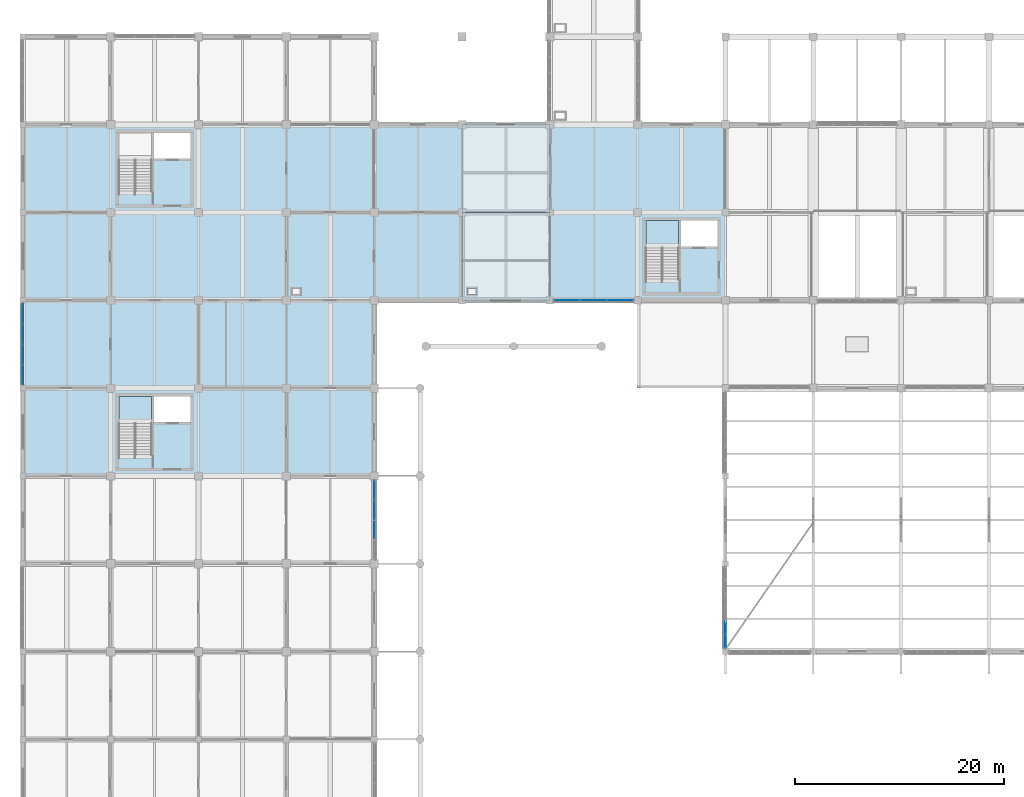
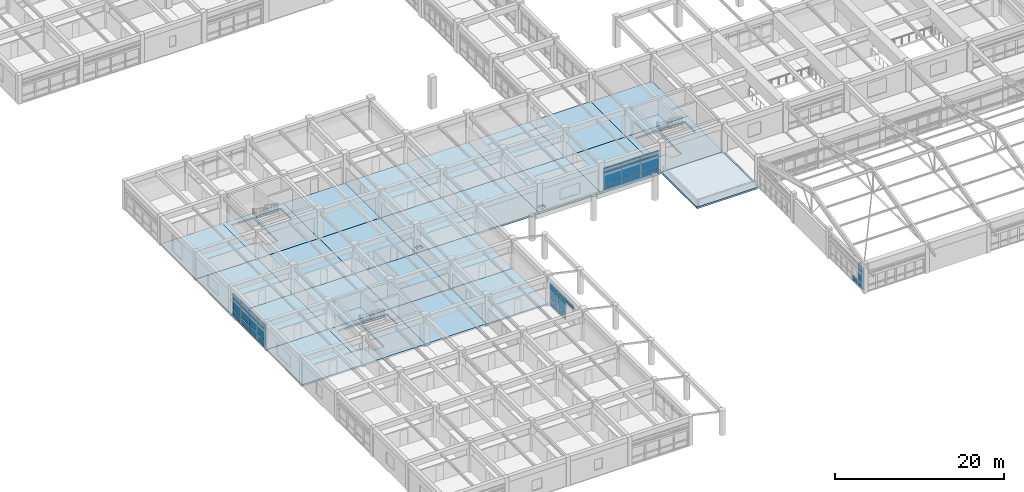
# One storey, part 59 of 99: 32 plates, 27 slabs, 6 elements without a shape of their own.
"""IFC4 building model written with IfcOpenShell, lengths in metres."""

from ifc_helpers import new_model, si_unit, direction, frame, origin, origin_2d, place, context, subcontext, project, spatial, polyline, rectangle, outline, extrude, material, layer, layer_set, type_object, element, aggregate, save


model = new_model("IFC4")

# Units and contexts
model_context = context("Model", 3, precision=1e-05, world=origin(), true_north=direction((0.0, 1.0)))
body_context = subcontext(model_context, "Body", "Model", "MODEL_VIEW")
ifc_project = project(units=[si_unit("LENGTHUNIT", "METRE"), si_unit("AREAUNIT", "SQUARE_METRE"), si_unit("VOLUMEUNIT", "CUBIC_METRE"), si_unit("PLANEANGLEUNIT", "RADIAN"), si_unit("MASSUNIT", "GRAM", prefix="KILO")], contexts=[model_context])

# Site, building, storey
site_placement = place(None, origin())
site = spatial("IfcSite", under=ifc_project, at=site_placement, CompositionType="ELEMENT")
building_placement = place(site_placement, origin())
building = spatial("IfcBuilding", under=site, at=building_placement, Name="Porcellanite Civic Hall", CompositionType="ELEMENT")
storey_placement = place(building_placement, frame((0.0, 0.0, 5.760009765625)))
storey = spatial("IfcBuildingStorey", under=building, at=storey_placement, Name="L01", CompositionType="ELEMENT", Elevation=5.760009765625)

# Curtain wall, plates
ifc_material_1 = material(Name="Anodised aluminium and solar laminated glass", Category="aluminium")
ifc_layer_1 = layer(ifc_material_1, 0.179931640625)
ifc_layer_set_1 = layer_set([ifc_layer_1], Name="Anodised aluminium and solar laminated glass")
curtain_wall_type_1 = type_object("IfcCurtainWallType", Name="CW-SYS01", PredefinedType="NOTDEFINED", material=ifc_layer_set_1)
curtain_wall_1_placement = place(storey_placement, origin())
curtain_wall_1 = element("IfcCurtainWall", 1, at=curtain_wall_1_placement, inside=storey, type_object=curtain_wall_type_1, Name="Curtain wall CW-089", PredefinedType="NOTDEFINED")
ifc_material_2 = material(Name="Cyclone laminated solar-control low-E glass", Category="glass")
ifc_layer_2 = layer(ifc_material_2, 0.02392578125)
ifc_layer_set_2 = layer_set([ifc_layer_2], Name="Cyclone laminated solar-control low-E glass")
plate_type_1 = type_object("IfcPlateType", Name="CWP-01", PredefinedType="CURTAIN_PANEL", material=ifc_layer_set_2)
plate_1_placement = place(storey_placement, frame((67.199951171875, 17.75, 0.070068359375), z_axis=(0.0, 0.0, 1.0), x_axis=(0.0, 1.0, 0.0)))
plate_1 = element("IfcPlate", 2, at=plate_1_placement, type_object=plate_type_1, Name="CW-089 panel 1.1", PredefinedType="CURTAIN_PANEL", context=body_context, shape_type="SweptSolid", body=[
    extrude(rectangle(XDim=1.18798828125, YDim=0.02392578125, at=origin_2d()), origin(), (0.0, 0.0, 1.0), 0.794921875),
])
plate_2_placement = place(storey_placement, frame((67.199951171875, 17.75, 0.93505859375), z_axis=(0.0, 0.0, 1.0), x_axis=(0.0, 1.0, 0.0)))
plate_2 = element("IfcPlate", 3, at=plate_2_placement, type_object=plate_type_1, Name="CW-089 panel 1.2", PredefinedType="CURTAIN_PANEL", context=body_context, shape_type="SweptSolid", body=[
    extrude(rectangle(XDim=1.18798828125, YDim=0.02392578125, at=origin_2d()), origin(), (0.0, 0.0, 1.0), 1.780029296875),
])
plate_3_placement = place(storey_placement, frame((67.199951171875, 17.75, 2.784912109375), z_axis=(0.0, 0.0, 1.0), x_axis=(0.0, 1.0, 0.0)))
plate_3 = element("IfcPlate", 4, at=plate_3_placement, type_object=plate_type_1, Name="CW-089 panel 1.3", PredefinedType="CURTAIN_PANEL", context=body_context, shape_type="SweptSolid", body=[
    extrude(rectangle(XDim=1.18798828125, YDim=0.02392578125, at=origin_2d()), origin(), (0.0, 0.0, 1.0), 0.544921875),
])
plate_4_placement = place(storey_placement, frame((67.199951171875, 19.0380859375, 0.070068359375), z_axis=(0.0, 0.0, 1.0), x_axis=(0.0, 1.0, 0.0)))
plate_4 = element("IfcPlate", 5, at=plate_4_placement, type_object=plate_type_1, Name="CW-089 panel 2.1", PredefinedType="CURTAIN_PANEL", context=body_context, shape_type="SweptSolid", body=[
    extrude(rectangle(XDim=1.22802734375, YDim=0.02392578125, at=origin_2d()), origin(), (0.0, 0.0, 1.0), 0.794921875),
])
aggregate(curtain_wall_1, [plate_1, plate_2, plate_3, plate_4])

ifc_material_3 = material(Name="Anodised aluminium and solar laminated glass", Category="aluminium")
ifc_layer_3 = layer(ifc_material_3, 0.179931640625)
ifc_layer_set_3 = layer_set([ifc_layer_3], Name="Anodised aluminium and solar laminated glass")
curtain_wall_type_2 = type_object("IfcCurtainWallType", Name="CW-SYS05", PredefinedType="NOTDEFINED", material=ifc_layer_set_3)
curtain_wall_2_placement = place(storey_placement, origin())
curtain_wall_2 = element("IfcCurtainWall", 6, at=curtain_wall_2_placement, inside=storey, type_object=curtain_wall_type_2, Name="Curtain wall CW-062", PredefinedType="NOTDEFINED")
ifc_material_4 = material(Name="Cyclone laminated solar-control low-E glass", Category="glass")
ifc_layer_4 = layer(ifc_material_4, 0.028076171875)
ifc_layer_set_4 = layer_set([ifc_layer_4], Name="Cyclone laminated solar-control low-E glass")
plate_type_2 = type_object("IfcPlateType", Name="CWP-03", PredefinedType="CURTAIN_PANEL", material=ifc_layer_set_4)
plate_5_placement = place(storey_placement, frame((0.0, 43.2744140625, 0.06005859375), z_axis=(0.0, 0.0, 1.0), x_axis=(0.0, 1.0, 0.0)))
plate_5 = element("IfcPlate", 7, at=plate_5_placement, type_object=plate_type_2, Name="CW-062 panel 1.1", PredefinedType="CURTAIN_PANEL", context=body_context, shape_type="SweptSolid", body=[
    extrude(rectangle(XDim=1.85693359375, YDim=0.028076171875, at=origin_2d()), origin(), (0.0, 0.0, 1.0), 0.81005859375),
])
plate_6_placement = place(storey_placement, frame((0.0, 43.2744140625, 0.929931640625), z_axis=(0.0, 0.0, 1.0), x_axis=(0.0, 1.0, 0.0)))
plate_6 = element("IfcPlate", 8, at=plate_6_placement, type_object=plate_type_2, Name="CW-062 panel 1.2", PredefinedType="CURTAIN_PANEL", context=body_context, shape_type="SweptSolid", body=[
    extrude(rectangle(XDim=1.85693359375, YDim=0.028076171875, at=origin_2d()), origin(), (0.0, 0.0, 1.0), 1.7900390625),
])
plate_7_placement = place(storey_placement, frame((0.0, 43.2744140625, 2.780029296875), z_axis=(0.0, 0.0, 1.0), x_axis=(0.0, 1.0, 0.0)))
plate_7 = element("IfcPlate", 9, at=plate_7_placement, type_object=plate_type_2, Name="CW-062 panel 1.3", PredefinedType="CURTAIN_PANEL", context=body_context, shape_type="SweptSolid", body=[
    extrude(rectangle(XDim=1.85693359375, YDim=0.028076171875, at=origin_2d()), origin(), (0.0, 0.0, 1.0), 0.56005859375),
])
plate_8_placement = place(storey_placement, frame((0.0, 45.218994140625, 0.06005859375), z_axis=(0.0, 0.0, 1.0), x_axis=(0.0, 1.0, 0.0)))
plate_8 = element("IfcPlate", 10, at=plate_8_placement, type_object=plate_type_2, Name="CW-062 panel 2.1", PredefinedType="CURTAIN_PANEL", context=body_context, shape_type="SweptSolid", body=[
    extrude(rectangle(XDim=1.89208984375, YDim=0.028076171875, at=origin_2d()), origin(), (0.0, 0.0, 1.0), 0.81005859375),
])
plate_9_placement = place(storey_placement, frame((0.0, 45.218994140625, 0.929931640625), z_axis=(0.0, 0.0, 1.0), x_axis=(0.0, 1.0, 0.0)))
plate_9 = element("IfcPlate", 11, at=plate_9_placement, type_object=plate_type_2, Name="CW-062 panel 2.2", PredefinedType="CURTAIN_PANEL", context=body_context, shape_type="SweptSolid", body=[
    extrude(rectangle(XDim=1.89208984375, YDim=0.028076171875, at=origin_2d()), origin(), (0.0, 0.0, 1.0), 1.7900390625),
])
plate_10_placement = place(storey_placement, frame((0.0, 45.218994140625, 2.780029296875), z_axis=(0.0, 0.0, 1.0), x_axis=(0.0, 1.0, 0.0)))
plate_10 = element("IfcPlate", 12, at=plate_10_placement, type_object=plate_type_2, Name="CW-062 panel 2.3", PredefinedType="CURTAIN_PANEL", context=body_context, shape_type="SweptSolid", body=[
    extrude(rectangle(XDim=1.89208984375, YDim=0.028076171875, at=origin_2d()), origin(), (0.0, 0.0, 1.0), 0.56005859375),
])
plate_11_placement = place(storey_placement, frame((0.0, 47.180908203125, 0.06005859375), z_axis=(0.0, 0.0, 1.0), x_axis=(0.0, 1.0, 0.0)))
plate_11 = element("IfcPlate", 13, at=plate_11_placement, type_object=plate_type_2, Name="CW-062 panel 3.1", PredefinedType="CURTAIN_PANEL", context=body_context, shape_type="SweptSolid", body=[
    extrude(rectangle(XDim=1.89208984375, YDim=0.028076171875, at=origin_2d()), origin(), (0.0, 0.0, 1.0), 0.81005859375),
])
plate_12_placement = place(storey_placement, frame((0.0, 47.180908203125, 0.929931640625), z_axis=(0.0, 0.0, 1.0), x_axis=(0.0, 1.0, 0.0)))
plate_12 = element("IfcPlate", 14, at=plate_12_placement, type_object=plate_type_2, Name="CW-062 panel 3.2", PredefinedType="CURTAIN_PANEL", context=body_context, shape_type="SweptSolid", body=[
    extrude(rectangle(XDim=1.89208984375, YDim=0.028076171875, at=origin_2d()), origin(), (0.0, 0.0, 1.0), 1.7900390625),
])
plate_13_placement = place(storey_placement, frame((0.0, 47.180908203125, 2.780029296875), z_axis=(0.0, 0.0, 1.0), x_axis=(0.0, 1.0, 0.0)))
plate_13 = element("IfcPlate", 15, at=plate_13_placement, type_object=plate_type_2, Name="CW-062 panel 3.3", PredefinedType="CURTAIN_PANEL", context=body_context, shape_type="SweptSolid", body=[
    extrude(rectangle(XDim=1.89208984375, YDim=0.028076171875, at=origin_2d()), origin(), (0.0, 0.0, 1.0), 0.56005859375),
])
plate_14_placement = place(storey_placement, frame((0.0, 49.12548828125, 0.06005859375), z_axis=(0.0, 0.0, 1.0), x_axis=(0.0, 1.0, 0.0)))
plate_14 = element("IfcPlate", 16, at=plate_14_placement, type_object=plate_type_2, Name="CW-062 panel 4.1", PredefinedType="CURTAIN_PANEL", context=body_context, shape_type="SweptSolid", body=[
    extrude(rectangle(XDim=1.85693359375, YDim=0.028076171875, at=origin_2d()), origin(), (0.0, 0.0, 1.0), 0.81005859375),
])
plate_15_placement = place(storey_placement, frame((0.0, 49.12548828125, 0.929931640625), z_axis=(0.0, 0.0, 1.0), x_axis=(0.0, 1.0, 0.0)))
plate_15 = element("IfcPlate", 17, at=plate_15_placement, type_object=plate_type_2, Name="CW-062 panel 4.2", PredefinedType="CURTAIN_PANEL", context=body_context, shape_type="SweptSolid", body=[
    extrude(rectangle(XDim=1.85693359375, YDim=0.028076171875, at=origin_2d()), origin(), (0.0, 0.0, 1.0), 1.7900390625),
])
plate_16_placement = place(storey_placement, frame((0.0, 49.12548828125, 2.780029296875), z_axis=(0.0, 0.0, 1.0), x_axis=(0.0, 1.0, 0.0)))
plate_16 = element("IfcPlate", 18, at=plate_16_placement, type_object=plate_type_2, Name="CW-062 panel 4.3", PredefinedType="CURTAIN_PANEL", context=body_context, shape_type="SweptSolid", body=[
    extrude(rectangle(XDim=1.85693359375, YDim=0.028076171875, at=origin_2d()), origin(), (0.0, 0.0, 1.0), 0.56005859375),
])
aggregate(curtain_wall_2, [plate_5, plate_6, plate_7, plate_8, plate_9, plate_10, plate_11, plate_12, plate_13, plate_14, plate_15, plate_16])

curtain_wall_3_placement = place(storey_placement, origin())
curtain_wall_3 = element("IfcCurtainWall", 19, at=curtain_wall_3_placement, inside=storey, type_object=curtain_wall_type_2, Name="Curtain wall CW-071", PredefinedType="NOTDEFINED")
plate_17_placement = place(storey_placement, frame((33.60009765625, 32.231689453125, 0.06005859375), z_axis=(0.0, 0.0, 1.0), x_axis=(0.0, -1.0, 0.0)))
plate_17 = element("IfcPlate", 20, at=plate_17_placement, type_object=plate_type_2, Name="CW-071 panel 1.1", PredefinedType="CURTAIN_PANEL", context=body_context, shape_type="SweptSolid", body=[
    extrude(rectangle(XDim=1.79443359375, YDim=0.028076171875, at=origin_2d()), origin(), (0.0, 0.0, 1.0), 0.81005859375),
])
plate_18_placement = place(storey_placement, frame((33.60009765625, 32.231689453125, 0.929931640625), z_axis=(0.0, 0.0, 1.0), x_axis=(0.0, -1.0, 0.0)))
plate_18 = element("IfcPlate", 21, at=plate_18_placement, type_object=plate_type_2, Name="CW-071 panel 1.2", PredefinedType="CURTAIN_PANEL", context=body_context, shape_type="SweptSolid", body=[
    extrude(rectangle(XDim=1.79443359375, YDim=0.028076171875, at=origin_2d()), origin(), (0.0, 0.0, 1.0), 1.7900390625),
])
plate_19_placement = place(storey_placement, frame((33.60009765625, 32.231689453125, 2.780029296875), z_axis=(0.0, 0.0, 1.0), x_axis=(0.0, -1.0, 0.0)))
plate_19 = element("IfcPlate", 22, at=plate_19_placement, type_object=plate_type_2, Name="CW-071 panel 1.3", PredefinedType="CURTAIN_PANEL", context=body_context, shape_type="SweptSolid", body=[
    extrude(rectangle(XDim=1.79443359375, YDim=0.028076171875, at=origin_2d()), origin(), (0.0, 0.0, 1.0), 0.56005859375),
])
plate_20_placement = place(storey_placement, frame((33.60009765625, 30.349853515625, 0.06005859375), z_axis=(0.0, 0.0, 1.0), x_axis=(0.0, -1.0, 0.0)))
plate_20 = element("IfcPlate", 23, at=plate_20_placement, type_object=plate_type_2, Name="CW-071 panel 2.1", PredefinedType="CURTAIN_PANEL", context=body_context, shape_type="SweptSolid", body=[
    extrude(rectangle(XDim=1.82958984375, YDim=0.028076171875, at=origin_2d()), origin(), (0.0, 0.0, 1.0), 0.81005859375),
])
plate_21_placement = place(storey_placement, frame((33.60009765625, 30.349853515625, 0.929931640625), z_axis=(0.0, 0.0, 1.0), x_axis=(0.0, -1.0, 0.0)))
plate_21 = element("IfcPlate", 24, at=plate_21_placement, type_object=plate_type_2, Name="CW-071 panel 2.2", PredefinedType="CURTAIN_PANEL", context=body_context, shape_type="SweptSolid", body=[
    extrude(rectangle(XDim=1.82958984375, YDim=0.028076171875, at=origin_2d()), origin(), (0.0, 0.0, 1.0), 1.7900390625),
])
plate_22_placement = place(storey_placement, frame((33.60009765625, 30.349853515625, 2.780029296875), z_axis=(0.0, 0.0, 1.0), x_axis=(0.0, -1.0, 0.0)))
plate_22 = element("IfcPlate", 25, at=plate_22_placement, type_object=plate_type_2, Name="CW-071 panel 2.3", PredefinedType="CURTAIN_PANEL", context=body_context, shape_type="SweptSolid", body=[
    extrude(rectangle(XDim=1.82958984375, YDim=0.028076171875, at=origin_2d()), origin(), (0.0, 0.0, 1.0), 0.56005859375),
])
plate_23_placement = place(storey_placement, frame((33.60009765625, 28.4501953125, 2.780029296875), z_axis=(0.0, 0.0, 1.0), x_axis=(0.0, -1.0, 0.0)))
plate_23 = element("IfcPlate", 26, at=plate_23_placement, type_object=plate_type_2, Name="CW-071 panel 3.3", PredefinedType="CURTAIN_PANEL", context=body_context, shape_type="SweptSolid", body=[
    extrude(rectangle(XDim=1.82958984375, YDim=0.028076171875, at=origin_2d()), origin(), (0.0, 0.0, 1.0), 0.56005859375),
])
aggregate(curtain_wall_3, [plate_17, plate_18, plate_19, plate_20, plate_21, plate_22, plate_23])

ifc_material_5 = material(Name="Anodised aluminium and solar laminated glass", Category="aluminium")
ifc_layer_5 = layer(ifc_material_5, 0.179931640625)
ifc_layer_set_5 = layer_set([ifc_layer_5], Name="Anodised aluminium and solar laminated glass")
curtain_wall_type_3 = type_object("IfcCurtainWallType", Name="CW-SYS08", PredefinedType="NOTDEFINED", material=ifc_layer_set_5)
curtain_wall_4_placement = place(storey_placement, origin())
curtain_wall_4 = element("IfcCurtainWall", 27, at=curtain_wall_4_placement, inside=storey, type_object=curtain_wall_type_3, Name="Curtain wall CW-076", PredefinedType="NOTDEFINED")
ifc_material_6 = material(Name="Cyclone laminated solar-control low-E glass", Category="glass")
ifc_layer_6 = layer(ifc_material_6, 0.035888671875)
ifc_layer_set_6 = layer_set([ifc_layer_6], Name="Cyclone laminated solar-control low-E glass")
plate_type_3 = type_object("IfcPlateType", Name="CWP-07", PredefinedType="CURTAIN_PANEL", material=ifc_layer_set_6)
plate_24_placement = place(storey_placement, frame((57.150146484375, 50.39990234375, 0.070068359375), z_axis=(0.0, 0.0, 1.0), x_axis=(-1.0, 0.0, 0.0)))
plate_24 = element("IfcPlate", 28, at=plate_24_placement, type_object=plate_type_3, Name="CW-076 panel 1.1", PredefinedType="CURTAIN_PANEL", context=body_context, shape_type="SweptSolid", body=[
    extrude(rectangle(XDim=2.437744140625, YDim=0.035888671875, at=origin_2d()), origin(), (0.0, 0.0, 1.0), 0.794921875),
])
plate_25_placement = place(storey_placement, frame((57.150146484375, 50.39990234375, 0.93505859375), z_axis=(0.0, 0.0, 1.0), x_axis=(-1.0, 0.0, 0.0)))
plate_25 = element("IfcPlate", 29, at=plate_25_placement, type_object=plate_type_3, Name="CW-076 panel 1.2", PredefinedType="CURTAIN_PANEL", context=body_context, shape_type="SweptSolid", body=[
    extrude(rectangle(XDim=2.437744140625, YDim=0.035888671875, at=origin_2d()), origin(), (0.0, 0.0, 1.0), 1.780029296875),
])
plate_26_placement = place(storey_placement, frame((57.150146484375, 50.39990234375, 2.784912109375), z_axis=(0.0, 0.0, 1.0), x_axis=(-1.0, 0.0, 0.0)))
plate_26 = element("IfcPlate", 30, at=plate_26_placement, type_object=plate_type_3, Name="CW-076 panel 1.3", PredefinedType="CURTAIN_PANEL", context=body_context, shape_type="SweptSolid", body=[
    extrude(rectangle(XDim=2.437744140625, YDim=0.035888671875, at=origin_2d()), origin(), (0.0, 0.0, 1.0), 0.544921875),
])
plate_27_placement = place(storey_placement, frame((54.612548828125, 50.39990234375, 0.070068359375), z_axis=(0.0, 0.0, 1.0), x_axis=(-1.0, 0.0, 0.0)))
plate_27 = element("IfcPlate", 31, at=plate_27_placement, type_object=plate_type_3, Name="CW-076 panel 2.1", PredefinedType="CURTAIN_PANEL", context=body_context, shape_type="SweptSolid", body=[
    extrude(rectangle(XDim=2.477783203125, YDim=0.035888671875, at=origin_2d()), origin(), (0.0, 0.0, 1.0), 0.794921875),
])
plate_28_placement = place(storey_placement, frame((54.612548828125, 50.39990234375, 0.93505859375), z_axis=(0.0, 0.0, 1.0), x_axis=(-1.0, 0.0, 0.0)))
plate_28 = element("IfcPlate", 32, at=plate_28_placement, type_object=plate_type_3, Name="CW-076 panel 2.2", PredefinedType="CURTAIN_PANEL", context=body_context, shape_type="SweptSolid", body=[
    extrude(rectangle(XDim=2.477783203125, YDim=0.035888671875, at=origin_2d()), origin(), (0.0, 0.0, 1.0), 1.780029296875),
])
plate_29_placement = place(storey_placement, frame((54.612548828125, 50.39990234375, 2.784912109375), z_axis=(0.0, 0.0, 1.0), x_axis=(-1.0, 0.0, 0.0)))
plate_29 = element("IfcPlate", 33, at=plate_29_placement, type_object=plate_type_3, Name="CW-076 panel 2.3", PredefinedType="CURTAIN_PANEL", context=body_context, shape_type="SweptSolid", body=[
    extrude(rectangle(XDim=2.477783203125, YDim=0.035888671875, at=origin_2d()), origin(), (0.0, 0.0, 1.0), 0.544921875),
])
plate_30_placement = place(storey_placement, frame((52.074951171875, 50.39990234375, 0.070068359375), z_axis=(0.0, 0.0, 1.0), x_axis=(-1.0, 0.0, 0.0)))
plate_30 = element("IfcPlate", 34, at=plate_30_placement, type_object=plate_type_3, Name="CW-076 panel 3.1", PredefinedType="CURTAIN_PANEL", context=body_context, shape_type="SweptSolid", body=[
    extrude(rectangle(XDim=2.437744140625, YDim=0.035888671875, at=origin_2d()), origin(), (0.0, 0.0, 1.0), 0.794921875),
])
plate_31_placement = place(storey_placement, frame((52.074951171875, 50.39990234375, 0.93505859375), z_axis=(0.0, 0.0, 1.0), x_axis=(-1.0, 0.0, 0.0)))
plate_31 = element("IfcPlate", 35, at=plate_31_placement, type_object=plate_type_3, Name="CW-076 panel 3.2", PredefinedType="CURTAIN_PANEL", context=body_context, shape_type="SweptSolid", body=[
    extrude(rectangle(XDim=2.437744140625, YDim=0.035888671875, at=origin_2d()), origin(), (0.0, 0.0, 1.0), 1.780029296875),
])
plate_32_placement = place(storey_placement, frame((52.074951171875, 50.39990234375, 2.784912109375), z_axis=(0.0, 0.0, 1.0), x_axis=(-1.0, 0.0, 0.0)))
plate_32 = element("IfcPlate", 36, at=plate_32_placement, type_object=plate_type_3, Name="CW-076 panel 3.3", PredefinedType="CURTAIN_PANEL", context=body_context, shape_type="SweptSolid", body=[
    extrude(rectangle(XDim=2.437744140625, YDim=0.035888671875, at=origin_2d()), origin(), (0.0, 0.0, 1.0), 0.544921875),
])
aggregate(curtain_wall_4, [plate_24, plate_25, plate_26, plate_27, plate_28, plate_29, plate_30, plate_31, plate_32])

# Stair, slab
ifc_material_7 = material(Name="Concrete N40 (40 MPa)", Category="concrete")
stair_type = type_object("IfcStairType", Name="STR-HT25", PredefinedType="HALF_TURN_STAIR", material=ifc_material_7)
stair_1_placement = place(storey_placement, origin())
stair_1 = element("IfcStair", 37, at=stair_1_placement, inside=storey, type_object=stair_type, Name="Fire stair ST-01 L01", PredefinedType="HALF_TURN_STAIR")
ifc_material_8 = material(Name="Concrete N40 (40 MPa)", Category="concrete")
ifc_layer_7 = layer(ifc_material_8, 0.179931640625)
ifc_layer_set_7 = layer_set([ifc_layer_7], Name="Concrete N40 (40 MPa)")
slab_type_1 = type_object("IfcSlabType", Name="LND-18", PredefinedType="LANDING", material=ifc_layer_set_7)
slab_1_placement = place(storey_placement, frame((0.0, 0.0, 2.159912109375)))
slab_1 = element("IfcSlab", 38, at=slab_1_placement, type_object=slab_type_1, Name="ST-01 landing 1", PredefinedType="LANDING", context=body_context, shape_type="SweptSolid", body=[
    extrude(outline(polyline([(9.180419921875, 38.625), (12.319580078125, 38.625), (12.319580078125, 41.219482421875), (9.180419921875, 41.219482421875), (9.180419921875, 38.625)])), origin(), (0.0, 0.0, 1.0), 0.18017578125),
])
aggregate(stair_1, [slab_1])

stair_2_placement = place(storey_placement, origin())
stair_2 = element("IfcStair", 39, at=stair_2_placement, inside=storey, type_object=stair_type, Name="Fire stair ST-05 L01", PredefinedType="HALF_TURN_STAIR")
slab_2_placement = place(storey_placement, frame((0.0, 0.0, 2.159912109375)))
slab_2 = element("IfcSlab", 40, at=slab_2_placement, type_object=slab_type_1, Name="ST-05 landing 1", PredefinedType="LANDING", context=body_context, shape_type="SweptSolid", body=[
    extrude(outline(polyline([(59.58056640625, 55.425048828125), (62.719482421875, 55.425048828125), (62.719482421875, 58.01953125), (59.58056640625, 58.01953125), (59.58056640625, 55.425048828125)])), origin(), (0.0, 0.0, 1.0), 0.18017578125),
])
aggregate(stair_2, [slab_2])

# Slabs
ifc_material_9 = material(Name="Concrete N40 (40 MPa)", Category="concrete")
ifc_layer_8 = layer(ifc_material_9, 0.25)
ifc_layer_set_8 = layer_set([ifc_layer_8], Name="Concrete N40 (40 MPa)")
slab_type_2 = type_object("IfcSlabType", Name="SL-FL250", PredefinedType="FLOOR", material=ifc_layer_set_8)
slab_3_placement = place(storey_placement, frame((0.0, 0.0, -0.25)))
element("IfcSlab", 41, at=slab_3_placement, inside=storey, type_object=slab_type_2, Name="Slab L01 bay 1-5", PredefinedType="FLOOR", context=body_context, shape_type="SweptSolid", body=[
    extrude(outline(polyline([(0.0, 33.60009765625), (8.39990234375, 33.60009765625), (8.39990234375, 42.0), (0.0, 42.0), (0.0, 33.60009765625)])), origin(), (0.0, 0.0, 1.0), 0.25),
])
slab_4_placement = place(storey_placement, frame((0.0, 0.0, -0.25)))
element("IfcSlab", 42, at=slab_4_placement, inside=storey, type_object=slab_type_2, Name="Slab L01 bay 1-6", PredefinedType="FLOOR", context=body_context, shape_type="SweptSolid", body=[
    extrude(outline(polyline([(0.0, 42.0), (8.39990234375, 42.0), (8.39990234375, 50.39990234375), (0.0, 50.39990234375), (0.0, 42.0)])), origin(), (0.0, 0.0, 1.0), 0.25),
])
slab_5_placement = place(storey_placement, frame((0.0, 0.0, -0.25)))
element("IfcSlab", 43, at=slab_5_placement, inside=storey, type_object=slab_type_2, Name="Slab L01 bay 1-8", PredefinedType="FLOOR", context=body_context, shape_type="SweptSolid", body=[
    extrude(outline(polyline([(0.0, 58.800048828125), (8.39990234375, 58.800048828125), (8.39990234375, 67.199951171875), (0.0, 67.199951171875), (0.0, 58.800048828125)])), origin(), (0.0, 0.0, 1.0), 0.25),
])
slab_6_placement = place(storey_placement, frame((0.0, 0.0, -0.25)))
element("IfcSlab", 44, at=slab_6_placement, inside=storey, type_object=slab_type_2, Name="Slab L01 bay 2-5", PredefinedType="FLOOR", context=body_context, shape_type="SweptSolid", body=[
    extrude(outline(polyline([(8.39990234375, 33.60009765625), (16.800048828125, 33.60009765625), (16.800048828125, 42.0), (8.39990234375, 42.0), (8.39990234375, 33.60009765625)]), holes=[polyline([(9.179931640625, 36.449951171875), (10.760009765625, 36.449951171875), (10.760009765625, 35.60009765625), (12.320068359375, 35.60009765625), (12.320068359375, 41.219970703125), (9.179931640625, 41.219970703125), (9.179931640625, 36.449951171875)]), polyline([(12.56005859375, 38.739990234375), (16.02001953125, 38.739990234375), (16.02001953125, 41.219970703125), (12.56005859375, 41.219970703125), (12.56005859375, 38.739990234375)])]), origin(), (0.0, 0.0, 1.0), 0.25),
])
slab_7_placement = place(storey_placement, frame((0.0, 0.0, -0.25)))
element("IfcSlab", 45, at=slab_7_placement, inside=storey, type_object=slab_type_2, Name="Slab L01 bay 2-7", PredefinedType="FLOOR", context=body_context, shape_type="SweptSolid", body=[
    extrude(outline(polyline([(8.39990234375, 50.39990234375), (16.800048828125, 50.39990234375), (16.800048828125, 58.800048828125), (8.39990234375, 58.800048828125), (8.39990234375, 50.39990234375)])), origin(), (0.0, 0.0, 1.0), 0.25),
])
slab_8_placement = place(storey_placement, frame((0.0, 0.0, -0.25)))
element("IfcSlab", 46, at=slab_8_placement, inside=storey, type_object=slab_type_2, Name="Slab L01 bay 2-8", PredefinedType="FLOOR", context=body_context, shape_type="SweptSolid", body=[
    extrude(outline(polyline([(8.39990234375, 58.800048828125), (16.800048828125, 58.800048828125), (16.800048828125, 67.199951171875), (8.39990234375, 67.199951171875), (8.39990234375, 58.800048828125)]), holes=[polyline([(9.179931640625, 61.64990234375), (10.760009765625, 61.64990234375), (10.760009765625, 60.800048828125), (12.320068359375, 60.800048828125), (12.320068359375, 66.419921875), (9.179931640625, 66.419921875), (9.179931640625, 61.64990234375)]), polyline([(12.56005859375, 63.93994140625), (16.02001953125, 63.93994140625), (16.02001953125, 66.419921875), (12.56005859375, 66.419921875), (12.56005859375, 63.93994140625)])]), origin(), (0.0, 0.0, 1.0), 0.25),
])
slab_9_placement = place(storey_placement, frame((0.0, 0.0, -0.25)))
element("IfcSlab", 47, at=slab_9_placement, inside=storey, type_object=slab_type_2, Name="Slab L01 bay 3-6", PredefinedType="FLOOR", context=body_context, shape_type="SweptSolid", body=[
    extrude(outline(polyline([(16.800048828125, 42.0), (25.199951171875, 42.0), (25.199951171875, 50.39990234375), (16.800048828125, 50.39990234375), (16.800048828125, 42.0)])), origin(), (0.0, 0.0, 1.0), 0.25),
])
slab_10_placement = place(storey_placement, frame((0.0, 0.0, -0.25)))
element("IfcSlab", 48, at=slab_10_placement, inside=storey, type_object=slab_type_2, Name="Slab L01 bay 3-7", PredefinedType="FLOOR", context=body_context, shape_type="SweptSolid", body=[
    extrude(outline(polyline([(16.800048828125, 50.39990234375), (25.199951171875, 50.39990234375), (25.199951171875, 58.800048828125), (16.800048828125, 58.800048828125), (16.800048828125, 50.39990234375)])), origin(), (0.0, 0.0, 1.0), 0.25),
])
slab_11_placement = place(storey_placement, frame((0.0, 0.0, -0.25)))
element("IfcSlab", 49, at=slab_11_placement, inside=storey, type_object=slab_type_2, Name="Slab L01 bay 4-5", PredefinedType="FLOOR", context=body_context, shape_type="SweptSolid", body=[
    extrude(outline(polyline([(25.199951171875, 33.60009765625), (33.60009765625, 33.60009765625), (33.60009765625, 42.0), (25.199951171875, 42.0), (25.199951171875, 33.60009765625)])), origin(), (0.0, 0.0, 1.0), 0.25),
])
slab_12_placement = place(storey_placement, frame((0.0, 0.0, -0.25)))
element("IfcSlab", 50, at=slab_12_placement, inside=storey, type_object=slab_type_2, Name="Slab L01 bay 4-6", PredefinedType="FLOOR", context=body_context, shape_type="SweptSolid", body=[
    extrude(outline(polyline([(25.199951171875, 42.0), (33.60009765625, 42.0), (33.60009765625, 50.39990234375), (25.199951171875, 50.39990234375), (25.199951171875, 42.0)])), origin(), (0.0, 0.0, 1.0), 0.25),
])
slab_13_placement = place(storey_placement, frame((0.0, 0.0, -0.25)))
element("IfcSlab", 51, at=slab_13_placement, inside=storey, type_object=slab_type_2, Name="Slab L01 bay 4-8", PredefinedType="FLOOR", context=body_context, shape_type="SweptSolid", body=[
    extrude(outline(polyline([(25.199951171875, 58.800048828125), (33.60009765625, 58.800048828125), (33.60009765625, 67.199951171875), (25.199951171875, 67.199951171875), (25.199951171875, 58.800048828125)])), origin(), (0.0, 0.0, 1.0), 0.25),
])
slab_14_placement = place(storey_placement, frame((0.0, 0.0, -0.25)))
element("IfcSlab", 52, at=slab_14_placement, inside=storey, type_object=slab_type_2, Name="Slab L01 bay 5-7", PredefinedType="FLOOR", context=body_context, shape_type="SweptSolid", body=[
    extrude(outline(polyline([(33.60009765625, 50.39990234375), (42.0, 50.39990234375), (42.0, 58.800048828125), (33.60009765625, 58.800048828125), (33.60009765625, 50.39990234375)])), origin(), (0.0, 0.0, 1.0), 0.25),
])
slab_15_placement = place(storey_placement, frame((0.0, 0.0, -0.25)))
element("IfcSlab", 53, at=slab_15_placement, inside=storey, type_object=slab_type_2, Name="Slab L01 bay 5-8", PredefinedType="FLOOR", context=body_context, shape_type="SweptSolid", body=[
    extrude(outline(polyline([(33.60009765625, 58.800048828125), (42.0, 58.800048828125), (42.0, 67.199951171875), (33.60009765625, 67.199951171875), (33.60009765625, 58.800048828125)])), origin(), (0.0, 0.0, 1.0), 0.25),
])
slab_16_placement = place(storey_placement, frame((0.0, 0.0, -0.25)))
element("IfcSlab", 54, at=slab_16_placement, inside=storey, type_object=slab_type_2, Name="Slab L01 bay 6-7", PredefinedType="FLOOR", context=body_context, shape_type="SweptSolid", body=[
    extrude(outline(polyline([(42.0, 50.39990234375), (50.39990234375, 50.39990234375), (50.39990234375, 58.800048828125), (42.0, 58.800048828125), (42.0, 50.39990234375)]), holes=[polyline([(42.550048828125, 50.949951171875), (43.35009765625, 50.949951171875), (43.35009765625, 51.550048828125), (42.550048828125, 51.550048828125), (42.550048828125, 50.949951171875)])]), origin(), (0.0, 0.0, 1.0), 0.25),
])
slab_17_placement = place(storey_placement, frame((0.0, 0.0, -0.25)))
element("IfcSlab", 55, at=slab_17_placement, inside=storey, type_object=slab_type_2, Name="Slab L01 bay 7-8", PredefinedType="FLOOR", context=body_context, shape_type="SweptSolid", body=[
    extrude(outline(polyline([(50.39990234375, 58.800048828125), (58.800048828125, 58.800048828125), (58.800048828125, 67.199951171875), (50.39990234375, 67.199951171875), (50.39990234375, 58.800048828125)])), origin(), (0.0, 0.0, 1.0), 0.25),
])
slab_18_placement = place(storey_placement, frame((0.0, 0.0, -0.25)))
element("IfcSlab", 56, at=slab_18_placement, inside=storey, type_object=slab_type_2, Name="Slab L01 bay 8-7", PredefinedType="FLOOR", context=body_context, shape_type="SweptSolid", body=[
    extrude(outline(polyline([(58.800048828125, 50.39990234375), (67.199951171875, 50.39990234375), (67.199951171875, 58.800048828125), (58.800048828125, 58.800048828125), (58.800048828125, 50.39990234375)]), holes=[polyline([(59.580078125, 53.25), (61.159912109375, 53.25), (61.159912109375, 52.39990234375), (62.719970703125, 52.39990234375), (62.719970703125, 58.02001953125), (59.580078125, 58.02001953125), (59.580078125, 53.25)]), polyline([(62.9599609375, 55.5400390625), (66.419921875, 55.5400390625), (66.419921875, 58.02001953125), (62.9599609375, 58.02001953125), (62.9599609375, 55.5400390625)])]), origin(), (0.0, 0.0, 1.0), 0.25),
])
slab_19_placement = place(storey_placement, frame((0.0, 0.0, -0.25)))
element("IfcSlab", 57, at=slab_19_placement, inside=storey, type_object=slab_type_2, Name="Slab L01 bay 8-8", PredefinedType="FLOOR", context=body_context, shape_type="SweptSolid", body=[
    extrude(outline(polyline([(58.800048828125, 58.800048828125), (67.199951171875, 58.800048828125), (67.199951171875, 67.199951171875), (58.800048828125, 67.199951171875), (58.800048828125, 58.800048828125)])), origin(), (0.0, 0.0, 1.0), 0.25),
])
ifc_material_10 = material(Name="Concrete N40 (40 MPa)", Category="concrete")
ifc_layer_9 = layer(ifc_material_10, 0.260009765625)
ifc_layer_set_9 = layer_set([ifc_layer_9], Name="Concrete N40 (40 MPa)")
slab_type_3 = type_object("IfcSlabType", Name="SL-FL260", PredefinedType="FLOOR", material=ifc_layer_set_9)
slab_20_placement = place(storey_placement, frame((0.0, 0.0, -0.260009765625)))
element("IfcSlab", 58, at=slab_20_placement, inside=storey, type_object=slab_type_3, Name="Slab L01 bay 1-7", PredefinedType="FLOOR", context=body_context, shape_type="SweptSolid", body=[
    extrude(outline(polyline([(0.0, 50.39990234375), (8.39990234375, 50.39990234375), (8.39990234375, 58.800048828125), (0.0, 58.800048828125), (0.0, 50.39990234375)])), origin(), (0.0, 0.0, 1.0), 0.260009765625),
])
slab_21_placement = place(storey_placement, frame((0.0, 0.0, -0.260009765625)))
element("IfcSlab", 59, at=slab_21_placement, inside=storey, type_object=slab_type_3, Name="Slab L01 bay 2-6", PredefinedType="FLOOR", context=body_context, shape_type="SweptSolid", body=[
    extrude(outline(polyline([(8.39990234375, 42.0), (16.800048828125, 42.0), (16.800048828125, 50.39990234375), (8.39990234375, 50.39990234375), (8.39990234375, 42.0)])), origin(), (0.0, 0.0, 1.0), 0.260009765625),
])
slab_22_placement = place(storey_placement, frame((0.0, 0.0, -0.260009765625)))
element("IfcSlab", 60, at=slab_22_placement, inside=storey, type_object=slab_type_3, Name="Slab L01 bay 3-5", PredefinedType="FLOOR", context=body_context, shape_type="SweptSolid", body=[
    extrude(outline(polyline([(16.800048828125, 33.60009765625), (25.199951171875, 33.60009765625), (25.199951171875, 42.0), (16.800048828125, 42.0), (16.800048828125, 33.60009765625)])), origin(), (0.0, 0.0, 1.0), 0.260009765625),
])
slab_23_placement = place(storey_placement, frame((0.0, 0.0, -0.260009765625)))
element("IfcSlab", 61, at=slab_23_placement, inside=storey, type_object=slab_type_3, Name="Slab L01 bay 3-8", PredefinedType="FLOOR", context=body_context, shape_type="SweptSolid", body=[
    extrude(outline(polyline([(16.800048828125, 58.800048828125), (25.199951171875, 58.800048828125), (25.199951171875, 67.199951171875), (16.800048828125, 67.199951171875), (16.800048828125, 58.800048828125)])), origin(), (0.0, 0.0, 1.0), 0.260009765625),
])
slab_24_placement = place(storey_placement, frame((0.0, 0.0, -0.260009765625)))
element("IfcSlab", 62, at=slab_24_placement, inside=storey, type_object=slab_type_3, Name="Slab L01 bay 4-7", PredefinedType="FLOOR", context=body_context, shape_type="SweptSolid", body=[
    extrude(outline(polyline([(25.199951171875, 50.39990234375), (33.60009765625, 50.39990234375), (33.60009765625, 58.800048828125), (25.199951171875, 58.800048828125), (25.199951171875, 50.39990234375)]), holes=[polyline([(25.75, 50.949951171875), (26.550048828125, 50.949951171875), (26.550048828125, 51.550048828125), (25.75, 51.550048828125), (25.75, 50.949951171875)])]), origin(), (0.0, 0.0, 1.0), 0.260009765625),
])
slab_25_placement = place(storey_placement, frame((0.0, 0.0, -0.260009765625)))
element("IfcSlab", 63, at=slab_25_placement, inside=storey, type_object=slab_type_3, Name="Slab L01 bay 6-8", PredefinedType="FLOOR", context=body_context, shape_type="SweptSolid", body=[
    extrude(outline(polyline([(42.0, 58.800048828125), (50.39990234375, 58.800048828125), (50.39990234375, 67.199951171875), (42.0, 67.199951171875), (42.0, 58.800048828125)])), origin(), (0.0, 0.0, 1.0), 0.260009765625),
])
slab_26_placement = place(storey_placement, frame((0.0, 0.0, -0.260009765625)))
element("IfcSlab", 64, at=slab_26_placement, inside=storey, type_object=slab_type_3, Name="Slab L01 bay 7-7", PredefinedType="FLOOR", context=body_context, shape_type="SweptSolid", body=[
    extrude(outline(polyline([(50.39990234375, 50.39990234375), (58.800048828125, 50.39990234375), (58.800048828125, 58.800048828125), (50.39990234375, 58.800048828125), (50.39990234375, 50.39990234375)])), origin(), (0.0, 0.0, 1.0), 0.260009765625),
])
ifc_material_11 = material(Name="Concrete N40 (40 MPa)", Category="concrete")
ifc_layer_10 = layer(ifc_material_11, 0.260009765625)
ifc_layer_set_10 = layer_set([ifc_layer_10], Name="Concrete N40 (40 MPa)")
slab_type_4 = type_object("IfcSlabType", Name="SL-RF260", PredefinedType="ROOF", material=ifc_layer_set_10)
slab_27_placement = place(storey_placement, frame((0.0, 0.0, -0.260009765625)))
element("IfcSlab", 65, at=slab_27_placement, inside=storey, type_object=slab_type_4, Name="Roof slab L01 8-6", PredefinedType="ROOF", context=body_context, shape_type="SweptSolid", body=[
    extrude(outline(polyline([(58.800048828125, 42.0), (67.199951171875, 42.0), (67.199951171875, 50.39990234375), (58.800048828125, 50.39990234375), (58.800048828125, 42.0)])), origin(), (0.0, 0.0, 1.0), 0.260009765625),
])

save(model, "model.ifc")
